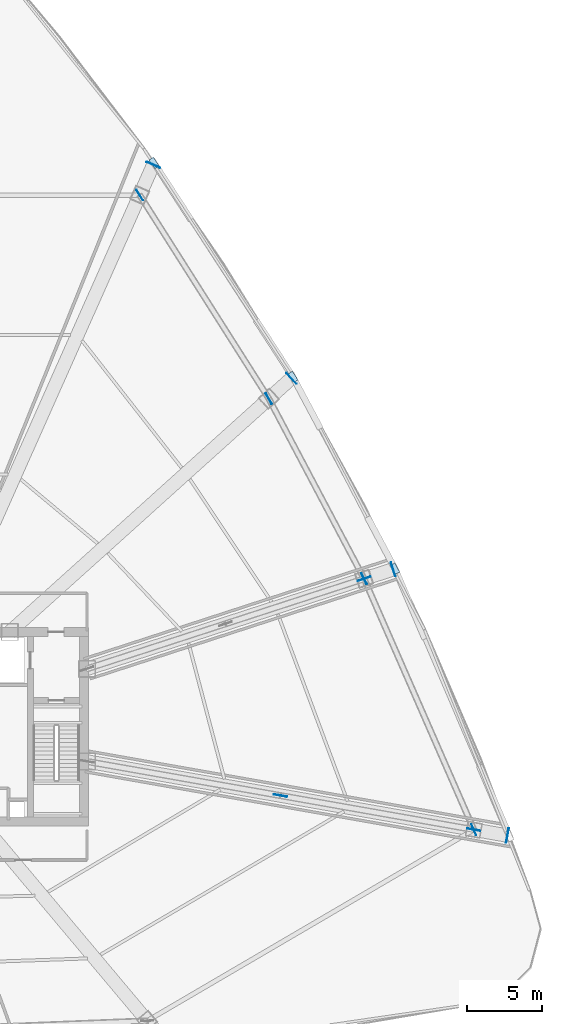
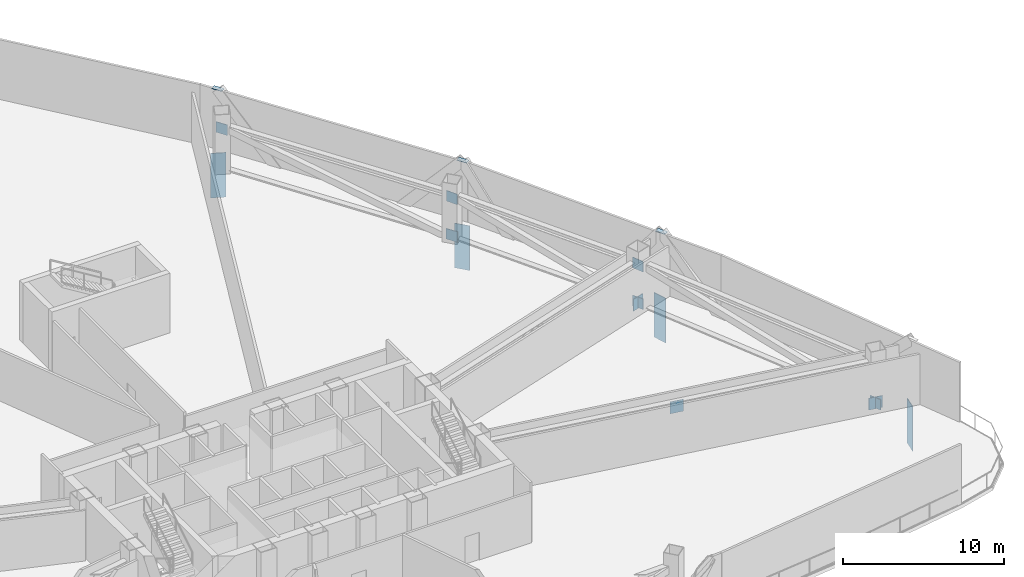
# One storey, part 8 of 17: 16 plates.
"""IFC4 building model written with IfcOpenShell, lengths in metres."""

from ifc_helpers import new_model, si_unit, direction, frame, origin, origin_2d, place, context, subcontext, project, spatial, rectangle, extrude, source, transform, mapped, material, layer, layer_set, type_object, element, save


model = new_model("IFC4")

# Units and contexts
model_context = context("Model", 3, precision=1e-05, world=origin(), true_north=direction((0.0, 1.0)))
body_context = subcontext(model_context, "Body", "Model", "MODEL_VIEW")
ifc_project = project(units=[si_unit("LENGTHUNIT", "METRE"), si_unit("AREAUNIT", "SQUARE_METRE"), si_unit("VOLUMEUNIT", "CUBIC_METRE"), si_unit("PLANEANGLEUNIT", "RADIAN"), si_unit("MASSUNIT", "GRAM", prefix="KILO"), si_unit("THERMODYNAMICTEMPERATUREUNIT", "KELVIN"), si_unit("POWERUNIT", "WATT")], contexts=[model_context])

# Site, building, storey
site_placement = place(None, origin())
site = spatial("IfcSite", under=ifc_project, at=site_placement, CompositionType="ELEMENT")
building_placement = place(site_placement, origin())
building = spatial("IfcBuilding", under=site, at=building_placement, Name="Yunzhuo Pagoda Commons", CompositionType="ELEMENT")
storey_placement = place(building_placement, frame((0.0, 0.0, 76.3798828125)))
storey = spatial("IfcBuildingStorey", under=building, at=storey_placement, Name="L19", CompositionType="ELEMENT", Elevation=76.3798828125)

# Plates
ifc_material_1 = material(Name="Structural steel Q420B", Category="steel")
ifc_layer_1 = layer(ifc_material_1, 0.0400390625)
ifc_layer_set_1 = layer_set([ifc_layer_1], Name="Structural steel Q420B")
plate_type_1 = type_object("IfcPlateType", Name="EP-TR2 Transfer Girder End Cap Plate 980x3540x40", PredefinedType="USERDEFINED", material=ifc_layer_set_1)
shared_shape_1 = source(origin(), body_context, "Body", "SweptSolid", [
    extrude(rectangle(XDim=0.97998046875, YDim=0.0400390625, at=origin_2d()), origin(), (0.0, 0.0, 1.0), 3.389892578125),
])
for number, where, z_axis, x_axis, name in (
    (1, (88.60791015625, 26.539794921875, -3.64990234375), (0.0, 0.0, 1.0), (0.173648177667, 0.984807753012, 0.0), "L19 transfer girder end cap plate F2C1"),
    (2, (80.934814453125, 44.401123046875, -3.64990234375), (0.0, 0.0, 1.0), (-0.309016994375, 0.951056516295, 0.0), "L19 transfer girder end cap plate F2C2"),
    (3, (74.117919921875, 57.216796875, -3.64990234375), (0.0, 0.0, 1.0), (-0.669130606359, 0.743144825477, 0.0), "L19 transfer girder end cap plate F2C3"),
    (4, (64.848388671875, 71.5419921875, -3.64990234375), (0.0, 0.0, 1.0), (-0.913545457643, 0.406736643076, 0.0), "L19 transfer girder end cap plate F2C4"),
):
    element("IfcPlate", number, at=place(storey_placement, frame(where, z_axis=z_axis, x_axis=x_axis)), inside=storey, type_object=plate_type_1, Name=name, ObjectType="END_PLATE", PredefinedType="USERDEFINED", context=body_context, shape_type="MappedRepresentation", body=[
        mapped(shared_shape_1, transform((0.0, 0.0, 0.0), scale=1.0)),
    ])
ifc_layer_2 = layer(ifc_material_1, 0.0400390625)
ifc_layer_set_2 = layer_set([ifc_layer_2], Name="Structural steel Q420B")
plate_type_2 = type_object("IfcPlateType", Name="GP-OT1 Outrigger Gusset Plate 900x500x900", PredefinedType="USERDEFINED", material=ifc_layer_set_2)
shared_shape_2 = source(origin(), body_context, "Body", "SweptSolid", [
    extrude(rectangle(XDim=0.89990234375, YDim=0.0400390625, at=origin_2d()), origin(), (0.0, 0.0, 1.0), 0.89990234375),
])
for number, where, z_axis, x_axis, name in (
    (5, (73.37646484375, 29.2255859375, 2.690185546875), (0.0, 0.0, 1.0), (0.984807753012, -0.173648177667, 0.0), "L19 outrigger apex gusset plate F2C1"),
    (6, (86.352783203125, 26.9375, -0.179931640625), (0.0, 0.0, 1.0), (0.984807753012, -0.173648177667, 0.0), "L19 outrigger column gusset plate F2C1"),
    (7, (78.99072265625, 43.76953125, -0.179931640625), (0.0, 0.0, 1.0), (0.951056516295, 0.309016994375, 0.0), "L19 outrigger column gusset plate F2C2"),
):
    element("IfcPlate", number, at=place(storey_placement, frame(where, z_axis=z_axis, x_axis=x_axis)), inside=storey, type_object=plate_type_2, Name=name, ObjectType="GUSSET_PLATE", PredefinedType="USERDEFINED", context=body_context, shape_type="MappedRepresentation", body=[
        mapped(shared_shape_2, transform((0.0, 0.0, 0.0), scale=1.0)),
    ])
ifc_material_2 = material(Name="Structural steel Q355B", Category="steel")
ifc_layer_3 = layer(ifc_material_2, 0.028076171875)
ifc_layer_set_3 = layer_set([ifc_layer_3], Name="Structural steel Q355B")
plate_type_3 = type_object("IfcPlateType", Name="SP-ND1 Lattice Node Cap Plate 800x500x28", PredefinedType="USERDEFINED", material=ifc_layer_set_3)
shared_shape_3 = source(origin(), body_context, "Body", "SweptSolid", [
    extrude(rectangle(XDim=0.800048828125, YDim=0.0400390625, at=origin_2d()), origin(), (0.0, 0.0, 1.0), 0.800048828125),
])
for number, where, z_axis, x_axis, name in (
    (8, (86.352783203125, 26.9375, -0.1298828125), (0.0, 0.0, 1.0), (-0.400716851866, 0.916201945332, 0.0), "L19 belt truss lower gusset plate 5"),
    (9, (78.99072265625, 43.76953125, 2.740234375), (0.0, 0.0, 1.0), (-0.400716851866, 0.916201945332, 0.0), "L19 belt truss upper gusset plate 5"),
    (10, (78.99072265625, 43.76953125, -0.1298828125), (0.0, 0.0, 1.0), (-0.467389865287, 0.884051307237, 0.0), "L19 belt truss lower gusset plate 6"),
    (11, (72.602783203125, 55.852294921875, 2.740234375), (0.0, 0.0, 1.0), (-0.467389865287, 0.884051307237, 0.0), "L19 belt truss upper gusset plate 6"),
    (12, (72.602783203125, 55.852294921875, -0.1298828125), (0.0, 0.0, 1.0), (-0.535694161649, 0.844412082561, 0.0), "L19 belt truss lower gusset plate 7"),
    (13, (63.94140625, 69.505126953125, 2.740234375), (0.0, 0.0, 1.0), (-0.535694161649, 0.844412082561, 0.0), "L19 belt truss upper gusset plate 7"),
):
    element("IfcPlate", number, at=place(storey_placement, frame(where, z_axis=z_axis, x_axis=x_axis)), inside=storey, type_object=plate_type_3, Name=name, ObjectType="STIFFENER_PLATE", PredefinedType="USERDEFINED", context=body_context, shape_type="MappedRepresentation", body=[
        mapped(shared_shape_3, transform((0.0, 0.0, 0.0), scale=1.0)),
    ])
shared_shape_4 = source(origin(), body_context, "Body", "SweptSolid", [
    extrude(rectangle(XDim=0.699951171875, YDim=0.35009765625, at=origin_2d()), origin(), (0.0, 0.0, 1.0), 0.035888671875),
])
for number, where, z_axis, x_axis, name in (
    (14, (81.065185546875, 44.443603515625, 4.501953125), (0.0, 0.0, 1.0), (-0.469733517942, 0.882808258979, 0.0), "L19 setback lattice tie plate F2.2L"),
    (15, (74.2197265625, 57.308349609375, 4.501953125), (0.0, 0.0, 1.0), (-0.544273044112, 0.838908131712, 0.0), "L19 setback lattice tie plate F2.3L"),
    (16, (64.904052734375, 71.6669921875, 4.501953125), (0.0, 0.0, 1.0), (-0.544273044112, 0.838908131712, 0.0), "L19 setback lattice tie plate F2.3R"),
):
    element("IfcPlate", number, at=place(storey_placement, frame(where, z_axis=z_axis, x_axis=x_axis)), inside=storey, type_object=plate_type_3, Name=name, ObjectType="STIFFENER_PLATE", PredefinedType="USERDEFINED", context=body_context, shape_type="MappedRepresentation", body=[
        mapped(shared_shape_4, transform((0.0, 0.0, 0.0), scale=1.0)),
    ])

save(model, "model.ifc")
